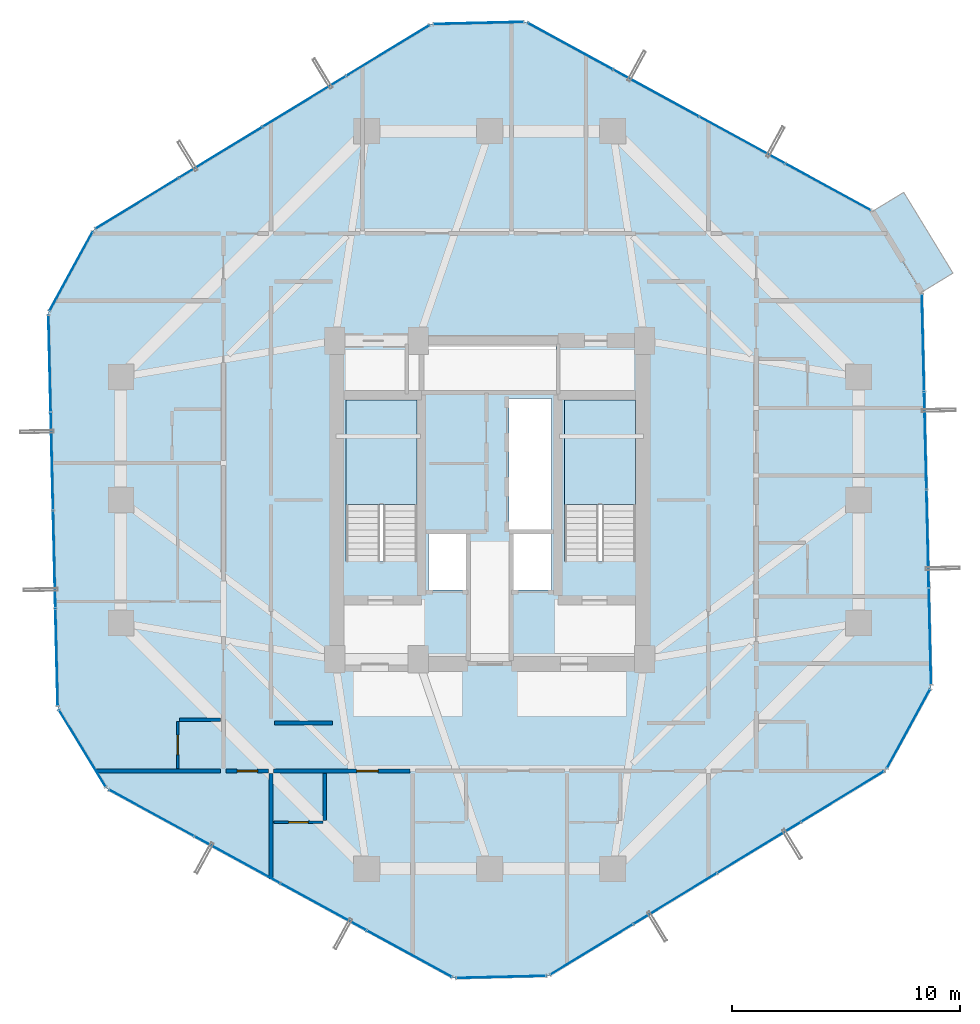
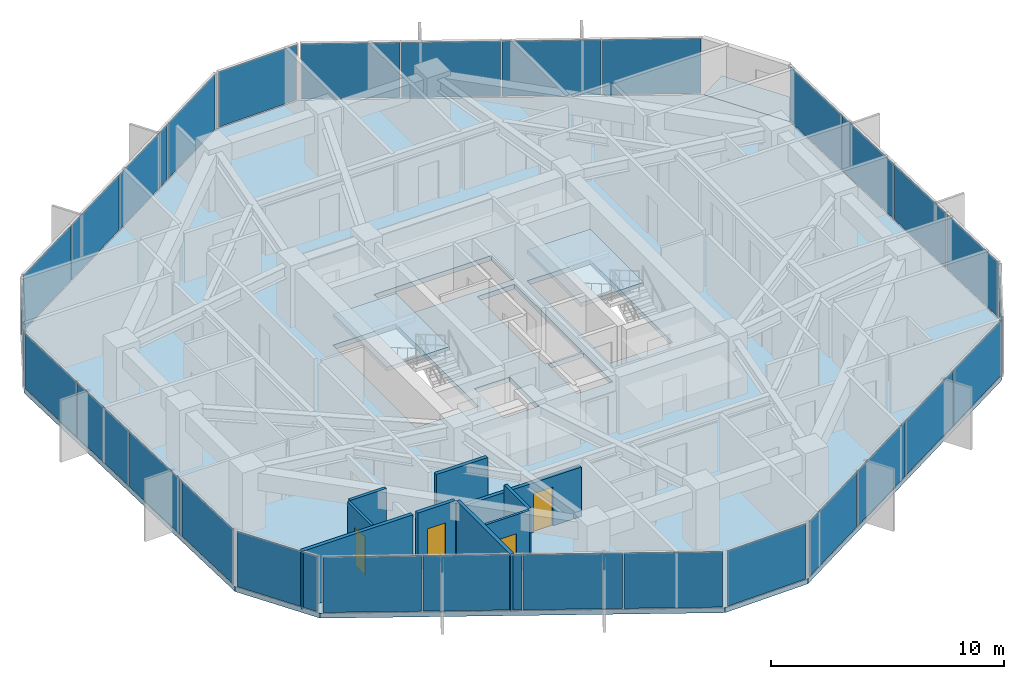
# One storey, part 25 of 31: 29 plates, 9 walls, 4 doors, 4 slabs, 4 openings, 13 elements without a shape of their own.
"""IFC4 building model written with IfcOpenShell, lengths in metres."""

from ifc_helpers import new_model, si_unit, direction, frame, frame_2d, origin, origin_2d, place, context, subcontext, project, spatial, polyline, rectangle, outline, extrude, source, transform, mapped, material, layer, layer_set, type_object, element, fill, aggregate, save


model = new_model("IFC4")

# Units and contexts
model_context = context("Model", 3, precision=1e-05, world=origin(), true_north=direction((0.0, 1.0)))
body_context = subcontext(model_context, "Body", "Model", "MODEL_VIEW")
ifc_project = project(units=[si_unit("LENGTHUNIT", "METRE"), si_unit("AREAUNIT", "SQUARE_METRE"), si_unit("VOLUMEUNIT", "CUBIC_METRE"), si_unit("PLANEANGLEUNIT", "RADIAN"), si_unit("MASSUNIT", "GRAM", prefix="KILO")], contexts=[model_context])

# Site, building, storey
site_placement = place(None, origin())
site = spatial("IfcSite", under=ifc_project, at=site_placement, CompositionType="ELEMENT")
building_placement = place(site_placement, origin())
building = spatial("IfcBuilding", under=site, at=building_placement, Name="Veraguas Prism Commons", CompositionType="ELEMENT")
storey_placement = place(building_placement, frame((0.0, 0.0, 132.75)))
storey = spatial("IfcBuildingStorey", under=building, at=storey_placement, Name="L37", CompositionType="ELEMENT", Elevation=132.75)

# Stair, slab
ifc_material_1 = material(Name="Precast concrete C45/55", Category="concrete")
stair_type = type_object("IfcStairType", Name="Dogleg Core Stair 1480W 20R 05", PredefinedType="HALF_TURN_STAIR", material=ifc_material_1)
stair_1_placement = place(storey_placement, origin())
stair_1 = element("IfcStair", 1, at=stair_1_placement, inside=storey, type_object=stair_type, Name="Protected Exit Stair ST-01 L37", PredefinedType="HALF_TURN_STAIR")
ifc_layer_1 = layer(ifc_material_1, 0.199951171875, Name="Precast Stair and Ramp Landing Slab 200", Category="concrete")
ifc_layer_set_1 = layer_set([ifc_layer_1], Name="Precast concrete C45/55")
slab_type_1 = type_object("IfcSlabType", Name="Precast Stair and Ramp Landing Slab 200", PredefinedType="LANDING", material=ifc_layer_set_1)
slab_1_placement = place(storey_placement, frame((0.0, 0.0, 1.425048828125)))
slab_1 = element("IfcSlab", 2, at=slab_1_placement, type_object=slab_type_1, Name="ST-05 Landing 1", PredefinedType="LANDING", context=body_context, shape_type="SweptSolid", body=[
    extrude(outline(polyline([(20.800048828125, 23.800048828125), (20.800048828125, 28.39990234375), (17.68994140625, 28.39990234375), (17.68994140625, 23.800048828125), (20.800048828125, 23.800048828125)])), origin(), (0.0, 0.0, 1.0), 0.199951171875),
])
aggregate(stair_1, [slab_1])

stair_2_placement = place(storey_placement, origin())
stair_2 = element("IfcStair", 3, at=stair_2_placement, inside=storey, type_object=stair_type, Name="Protected Exit Stair ST-02 L37", PredefinedType="HALF_TURN_STAIR")
slab_2_placement = place(storey_placement, frame((0.0, 0.0, 1.425048828125)))
slab_2 = element("IfcSlab", 4, at=slab_2_placement, type_object=slab_type_1, Name="ST-05 Landing 1", PredefinedType="LANDING", context=body_context, shape_type="SweptSolid", body=[
    extrude(outline(polyline([(30.39990234375, 23.800048828125), (30.39990234375, 28.39990234375), (27.2900390625, 28.39990234375), (27.2900390625, 23.800048828125), (30.39990234375, 23.800048828125)])), origin(), (0.0, 0.0, 1.0), 0.199951171875),
])
aggregate(stair_2, [slab_2])

# Slabs
ifc_material_2 = material(Name="Concrete C45/55", Category="concrete")
ifc_layer_2 = layer(ifc_material_2, 0.219970703125, Name="Recessed Loggia and Terrace Slab RC 220", Category="concrete")
ifc_layer_set_2 = layer_set([ifc_layer_2], Name="Concrete C45/55")
slab_type_2 = type_object("IfcSlabType", Name="Recessed Loggia and Terrace Slab RC 220", PredefinedType="FLOOR", material=ifc_layer_set_2)
slab_3_placement = place(storey_placement, frame((0.0, 0.0, -0.219970703125)))
element("IfcSlab", 5, at=slab_3_placement, inside=storey, type_object=slab_type_2, Name="Recessed Corner Loggia L37-C1", PredefinedType="FLOOR", context=body_context, shape_type="SweptSolid", body=[
    extrude(outline(polyline([(42.9541015625, 33.11962890625), (44.33740234375, 33.962646484375), (42.176025390625, 37.509033203125), (40.792724609375, 36.666015625), (42.9541015625, 33.11962890625)])), origin(), (0.0, 0.0, 1.0), 0.219970703125),
])
ifc_layer_3 = layer(ifc_material_2, 0.25, Name="Tower Lower Residential Floor Slab RC 250", Category="concrete")
ifc_layer_set_3 = layer_set([ifc_layer_3], Name="Concrete C45/55")
slab_type_3 = type_object("IfcSlabType", Name="Tower Lower Residential Floor Slab RC 250", PredefinedType="FLOOR", material=ifc_layer_set_3)
slab_4_placement = place(storey_placement, frame((0.0, 0.0, -0.25)))
element("IfcSlab", 6, at=slab_4_placement, inside=storey, type_object=slab_type_3, Name="Tower Floor Slab L37", PredefinedType="FLOOR", context=body_context, shape_type="SweptSolid", body=[
    extrude(outline(polyline([(42.97119140625, 33.1298828125), (40.809814453125, 36.676513671875), (25.57861328125, 44.994384765625), (21.4267578125, 44.89599609375), (6.607666015625, 35.864501953125), (4.616943359375, 32.219482421875), (5.02880859375, 14.8701171875), (7.190185546875, 11.323486328125), (22.42138671875, 3.005615234375), (26.5732421875, 3.10400390625), (41.392333984375, 12.135498046875), (43.383056640625, 15.780517578125), (42.97119140625, 33.1298828125)]), holes=[polyline([(20.800048828125, 21.31005859375), (20.800048828125, 28.39990234375), (17.68994140625, 28.39990234375), (17.68994140625, 21.31005859375), (20.800048828125, 21.31005859375)]), polyline([(30.39990234375, 21.31005859375), (30.39990234375, 28.39990234375), (27.2900390625, 28.39990234375), (27.2900390625, 21.31005859375), (30.39990234375, 21.31005859375)]), polyline([(24.85009765625, 22.64990234375), (26.699951171875, 22.64990234375), (26.699951171875, 28.449951171875), (24.85009765625, 28.449951171875), (24.85009765625, 22.64990234375)]), polyline([(21.10009765625, 28.800048828125), (26.89990234375, 28.800048828125), (26.89990234375, 30.800048828125), (21.10009765625, 30.800048828125), (21.10009765625, 28.800048828125)]), polyline([(21.300048828125, 20.050048828125), (23.050048828125, 20.050048828125), (23.050048828125, 22.550048828125), (21.300048828125, 22.550048828125), (21.300048828125, 20.050048828125)]), polyline([(24.949951171875, 20.050048828125), (26.699951171875, 20.050048828125), (26.699951171875, 22.550048828125), (24.949951171875, 22.550048828125), (24.949951171875, 20.050048828125)])]), origin(), (0.0, 0.0, 1.0), 0.25),
])

# Curtain wall, plates
ifc_material_3 = material(Name="Anodised aluminium EN AW-6063 T6", Category="aluminium")
ifc_layer_4 = layer(ifc_material_3, 0.169921875, Name="Unitised Flush Curtain Wall Zone 2", Category="aluminium")
ifc_layer_set_4 = layer_set([ifc_layer_4], Name="Anodised aluminium EN AW-6063 T6")
curtain_wall_type = type_object("IfcCurtainWallType", Name="Unitised Flush Curtain Wall Zone 2", PredefinedType="NOTDEFINED", material=ifc_layer_set_4)
curtain_wall_1_placement = place(storey_placement, origin())
curtain_wall_1 = element("IfcCurtainWall", 7, at=curtain_wall_1_placement, inside=storey, type_object=curtain_wall_type, Name="Tower Facade Curtain Wall L37-F1", PredefinedType="NOTDEFINED")
ifc_material_4 = material(Name="Laminated low-e glass", Category="glass")
ifc_layer_5 = layer(ifc_material_4, 0.028076171875, Name="Unitised Double Low-E Glazed Panel 28", Category="glass")
ifc_layer_set_5 = layer_set([ifc_layer_5], Name="Laminated low-e glass")
plate_type = type_object("IfcPlateType", Name="Unitised Double Low-E Glazed Panel 28", PredefinedType="CURTAIN_PANEL", material=ifc_layer_set_5)
shared_shape_1 = source(origin(), body_context, "Body", "SweptSolid", [
    extrude(rectangle(XDim=4.218505859375, YDim=0.028076171875, at=origin_2d()), origin(), (0.0, 0.0, 1.0), 2.889892578125),
])
plate_1_placement = place(storey_placement, frame((38.853271484375, 37.744873046875, 0.05517578125), z_axis=(0.0, 0.0, 1.0), x_axis=(-0.877648571535, 0.479304688984, 0.0)))
plate_1 = element("IfcPlate", 8, at=plate_1_placement, type_object=plate_type, Name="CW-Z2 Panel 1.1", PredefinedType="CURTAIN_PANEL", context=body_context, shape_type="MappedRepresentation", body=[
    mapped(shared_shape_1, transform((0.0, 0.0, 0.0), scale=1.0)),
])
plate_2_placement = place(storey_placement, frame((27.53515625, 43.926025390625, 0.05517578125), z_axis=(0.0, 0.0, 1.0), x_axis=(-0.877648571535, 0.479304688984, 0.0)))
plate_2 = element("IfcPlate", 9, at=plate_2_placement, type_object=plate_type, Name="CW-Z2 Panel 4.1", PredefinedType="CURTAIN_PANEL", context=body_context, shape_type="MappedRepresentation", body=[
    mapped(shared_shape_1, transform((0.0, 0.0, 0.0), scale=1.0)),
])

curtain_wall_2_placement = place(storey_placement, origin())
curtain_wall_2 = element("IfcCurtainWall", 10, at=curtain_wall_2_placement, inside=storey, type_object=curtain_wall_type, Name="Tower Facade Curtain Wall L37-F2", PredefinedType="NOTDEFINED")
plate_3_placement = place(storey_placement, frame((19.523193359375, 43.73583984375, 0.05517578125), z_axis=(0.0, 0.0, 1.0), x_axis=(-0.853916139162, -0.520410633326, 0.0)))
plate_3 = element("IfcPlate", 11, at=plate_3_placement, type_object=plate_type, Name="CW-Z2 Panel 1.1", PredefinedType="CURTAIN_PANEL", context=body_context, shape_type="MappedRepresentation", body=[
    mapped(shared_shape_1, transform((0.0, 0.0, 0.0), scale=1.0)),
])
plate_4_placement = place(storey_placement, frame((8.51123046875, 37.024658203125, 0.05517578125), z_axis=(0.0, 0.0, 1.0), x_axis=(-0.853916139162, -0.520410633326, 0.0)))
plate_4 = element("IfcPlate", 12, at=plate_4_placement, type_object=plate_type, Name="CW-Z2 Panel 4.1", PredefinedType="CURTAIN_PANEL", context=body_context, shape_type="MappedRepresentation", body=[
    mapped(shared_shape_1, transform((0.0, 0.0, 0.0), scale=1.0)),
])

curtain_wall_3_placement = place(storey_placement, origin())
curtain_wall_3 = element("IfcCurtainWall", 13, at=curtain_wall_3_placement, inside=storey, type_object=curtain_wall_type, Name="Tower Facade Curtain Wall L37-F3", PredefinedType="NOTDEFINED")
plate_5_placement = place(storey_placement, frame((4.669921875, 29.99072265625, 0.05517578125), z_axis=(0.0, 0.0, 1.0), x_axis=(0.023737738629, -0.999718220182, 0.0)))
plate_5 = element("IfcPlate", 14, at=plate_5_placement, type_object=plate_type, Name="CW-Z2 Panel 1.1", PredefinedType="CURTAIN_PANEL", context=body_context, shape_type="MappedRepresentation", body=[
    mapped(shared_shape_1, transform((0.0, 0.0, 0.0), scale=1.0)),
])
plate_6_placement = place(storey_placement, frame((4.97607421875, 17.0986328125, 0.05517578125), z_axis=(0.0, 0.0, 1.0), x_axis=(0.023737738629, -0.999718220182, 0.0)))
plate_6 = element("IfcPlate", 15, at=plate_6_placement, type_object=plate_type, Name="CW-Z2 Panel 4.1", PredefinedType="CURTAIN_PANEL", context=body_context, shape_type="MappedRepresentation", body=[
    mapped(shared_shape_1, transform((0.0, 0.0, 0.0), scale=1.0)),
])

curtain_wall_4_placement = place(storey_placement, origin())
curtain_wall_4 = element("IfcCurtainWall", 16, at=curtain_wall_4_placement, inside=storey, type_object=curtain_wall_type, Name="Tower Facade Curtain Wall L37-F4", PredefinedType="NOTDEFINED")
plate_7_placement = place(storey_placement, frame((9.146728515625, 10.255126953125, 0.05517578125), z_axis=(0.0, 0.0, 1.0), x_axis=(0.877648571535, -0.479304688984, 0.0)))
plate_7 = element("IfcPlate", 17, at=plate_7_placement, type_object=plate_type, Name="CW-Z2 Panel 1.1", PredefinedType="CURTAIN_PANEL", context=body_context, shape_type="MappedRepresentation", body=[
    mapped(shared_shape_1, transform((0.0, 0.0, 0.0), scale=1.0)),
])
plate_8_placement = place(storey_placement, frame((20.46484375, 4.073974609375, 0.05517578125), z_axis=(0.0, 0.0, 1.0), x_axis=(0.877648571535, -0.479304688984, 0.0)))
plate_8 = element("IfcPlate", 18, at=plate_8_placement, type_object=plate_type, Name="CW-Z2 Panel 4.1", PredefinedType="CURTAIN_PANEL", context=body_context, shape_type="MappedRepresentation", body=[
    mapped(shared_shape_1, transform((0.0, 0.0, 0.0), scale=1.0)),
])

curtain_wall_5_placement = place(storey_placement, origin())
curtain_wall_5 = element("IfcCurtainWall", 19, at=curtain_wall_5_placement, inside=storey, type_object=curtain_wall_type, Name="Tower Facade Curtain Wall L37-F5", PredefinedType="NOTDEFINED")
plate_9_placement = place(storey_placement, frame((28.476806640625, 4.26416015625, 0.05517578125), z_axis=(0.0, 0.0, 1.0), x_axis=(0.853916139162, 0.520410633326, 0.0)))
plate_9 = element("IfcPlate", 20, at=plate_9_placement, type_object=plate_type, Name="CW-Z2 Panel 1.1", PredefinedType="CURTAIN_PANEL", context=body_context, shape_type="MappedRepresentation", body=[
    mapped(shared_shape_1, transform((0.0, 0.0, 0.0), scale=1.0)),
])
plate_10_placement = place(storey_placement, frame((39.48876953125, 10.975341796875, 0.05517578125), z_axis=(0.0, 0.0, 1.0), x_axis=(0.853916139162, 0.520410633326, 0.0)))
plate_10 = element("IfcPlate", 21, at=plate_10_placement, type_object=plate_type, Name="CW-Z2 Panel 4.1", PredefinedType="CURTAIN_PANEL", context=body_context, shape_type="MappedRepresentation", body=[
    mapped(shared_shape_1, transform((0.0, 0.0, 0.0), scale=1.0)),
])

curtain_wall_6_placement = place(storey_placement, origin())
curtain_wall_6 = element("IfcCurtainWall", 22, at=curtain_wall_6_placement, inside=storey, type_object=curtain_wall_type, Name="Tower Facade Curtain Wall L37-F6", PredefinedType="NOTDEFINED")
plate_11_placement = place(storey_placement, frame((43.330078125, 18.00927734375, 0.05517578125), z_axis=(0.0, 0.0, 1.0), x_axis=(-0.023737738629, 0.999718220182, 0.0)))
plate_11 = element("IfcPlate", 23, at=plate_11_placement, type_object=plate_type, Name="CW-Z2 Panel 1.1", PredefinedType="CURTAIN_PANEL", context=body_context, shape_type="MappedRepresentation", body=[
    mapped(shared_shape_1, transform((0.0, 0.0, 0.0), scale=1.0)),
])
plate_12_placement = place(storey_placement, frame((43.02392578125, 30.9013671875, 0.05517578125), z_axis=(0.0, 0.0, 1.0), x_axis=(-0.023737738629, 0.999718220182, 0.0)))
plate_12 = element("IfcPlate", 24, at=plate_12_placement, type_object=plate_type, Name="CW-Z2 Panel 4.1", PredefinedType="CURTAIN_PANEL", context=body_context, shape_type="MappedRepresentation", body=[
    mapped(shared_shape_1, transform((0.0, 0.0, 0.0), scale=1.0)),
])

# Plate
shared_shape_2 = source(origin(), body_context, "Body", "SweptSolid", [
    extrude(rectangle(XDim=4.24853515625, YDim=0.028076171875, at=origin_2d()), origin(), (0.0, 0.0, 1.0), 2.889892578125),
])
plate_13_placement = place(storey_placement, frame((35.0849609375, 39.802978515625, 0.05517578125), z_axis=(0.0, 0.0, 1.0), x_axis=(-0.877648571535, 0.479304688984, 0.0)))
plate_13 = element("IfcPlate", 25, at=plate_13_placement, type_object=plate_type, Name="CW-Z2 Panel 2.1", PredefinedType="CURTAIN_PANEL", context=body_context, shape_type="MappedRepresentation", body=[
    mapped(shared_shape_2, transform((0.0, 0.0, 0.0), scale=1.0)),
])

plate_14_placement = place(storey_placement, frame((31.303466796875, 41.867919921875, 0.05517578125), z_axis=(0.0, 0.0, 1.0), x_axis=(-0.877648571535, 0.479304688984, 0.0)))
plate_14 = element("IfcPlate", 26, at=plate_14_placement, type_object=plate_type, Name="CW-Z2 Panel 3.1", PredefinedType="CURTAIN_PANEL", context=body_context, shape_type="MappedRepresentation", body=[
    mapped(shared_shape_2, transform((0.0, 0.0, 0.0), scale=1.0)),
])

aggregate(curtain_wall_1, [plate_1, plate_13, plate_14, plate_2])

plate_15_placement = place(storey_placement, frame((15.856689453125, 41.501220703125, 0.05517578125), z_axis=(0.0, 0.0, 1.0), x_axis=(-0.853916139162, -0.520410633326, 0.0)))
plate_15 = element("IfcPlate", 27, at=plate_15_placement, type_object=plate_type, Name="CW-Z2 Panel 2.1", PredefinedType="CURTAIN_PANEL", context=body_context, shape_type="MappedRepresentation", body=[
    mapped(shared_shape_2, transform((0.0, 0.0, 0.0), scale=1.0)),
])

plate_16_placement = place(storey_placement, frame((12.177490234375, 39.259033203125, 0.05517578125), z_axis=(0.0, 0.0, 1.0), x_axis=(-0.853916139162, -0.520410633326, 0.0)))
plate_16 = element("IfcPlate", 28, at=plate_16_placement, type_object=plate_type, Name="CW-Z2 Panel 3.1", PredefinedType="CURTAIN_PANEL", context=body_context, shape_type="MappedRepresentation", body=[
    mapped(shared_shape_2, transform((0.0, 0.0, 0.0), scale=1.0)),
])

aggregate(curtain_wall_2, [plate_3, plate_15, plate_16, plate_4])

plate_17_placement = place(storey_placement, frame((4.771728515625, 25.698486328125, 0.05517578125), z_axis=(0.0, 0.0, 1.0), x_axis=(0.023737738629, -0.999718220182, 0.0)))
plate_17 = element("IfcPlate", 29, at=plate_17_placement, type_object=plate_type, Name="CW-Z2 Panel 2.1", PredefinedType="CURTAIN_PANEL", context=body_context, shape_type="MappedRepresentation", body=[
    mapped(shared_shape_2, transform((0.0, 0.0, 0.0), scale=1.0)),
])

plate_18_placement = place(storey_placement, frame((4.8740234375, 21.39111328125, 0.05517578125), z_axis=(0.0, 0.0, 1.0), x_axis=(0.023737738629, -0.999718220182, 0.0)))
plate_18 = element("IfcPlate", 30, at=plate_18_placement, type_object=plate_type, Name="CW-Z2 Panel 3.1", PredefinedType="CURTAIN_PANEL", context=body_context, shape_type="MappedRepresentation", body=[
    mapped(shared_shape_2, transform((0.0, 0.0, 0.0), scale=1.0)),
])

aggregate(curtain_wall_3, [plate_5, plate_17, plate_18, plate_6])

plate_19_placement = place(storey_placement, frame((12.9150390625, 8.197021484375, 0.05517578125), z_axis=(0.0, 0.0, 1.0), x_axis=(0.877648571535, -0.479304688984, 0.0)))
plate_19 = element("IfcPlate", 31, at=plate_19_placement, type_object=plate_type, Name="CW-Z2 Panel 2.1", PredefinedType="CURTAIN_PANEL", context=body_context, shape_type="MappedRepresentation", body=[
    mapped(shared_shape_2, transform((0.0, 0.0, 0.0), scale=1.0)),
])

plate_20_placement = place(storey_placement, frame((16.696533203125, 6.132080078125, 0.05517578125), z_axis=(0.0, 0.0, 1.0), x_axis=(0.877648571535, -0.479304688984, 0.0)))
plate_20 = element("IfcPlate", 32, at=plate_20_placement, type_object=plate_type, Name="CW-Z2 Panel 3.1", PredefinedType="CURTAIN_PANEL", context=body_context, shape_type="MappedRepresentation", body=[
    mapped(shared_shape_2, transform((0.0, 0.0, 0.0), scale=1.0)),
])

aggregate(curtain_wall_4, [plate_7, plate_19, plate_20, plate_8])

plate_21_placement = place(storey_placement, frame((32.143310546875, 6.498779296875, 0.05517578125), z_axis=(0.0, 0.0, 1.0), x_axis=(0.853916139162, 0.520410633326, 0.0)))
plate_21 = element("IfcPlate", 33, at=plate_21_placement, type_object=plate_type, Name="CW-Z2 Panel 2.1", PredefinedType="CURTAIN_PANEL", context=body_context, shape_type="MappedRepresentation", body=[
    mapped(shared_shape_2, transform((0.0, 0.0, 0.0), scale=1.0)),
])

plate_22_placement = place(storey_placement, frame((35.822509765625, 8.740966796875, 0.05517578125), z_axis=(0.0, 0.0, 1.0), x_axis=(0.853916139162, 0.520410633326, 0.0)))
plate_22 = element("IfcPlate", 34, at=plate_22_placement, type_object=plate_type, Name="CW-Z2 Panel 3.1", PredefinedType="CURTAIN_PANEL", context=body_context, shape_type="MappedRepresentation", body=[
    mapped(shared_shape_2, transform((0.0, 0.0, 0.0), scale=1.0)),
])

aggregate(curtain_wall_5, [plate_9, plate_21, plate_22, plate_10])

plate_23_placement = place(storey_placement, frame((43.228271484375, 22.301513671875, 0.05517578125), z_axis=(0.0, 0.0, 1.0), x_axis=(-0.023737738629, 0.999718220182, 0.0)))
plate_23 = element("IfcPlate", 35, at=plate_23_placement, type_object=plate_type, Name="CW-Z2 Panel 2.1", PredefinedType="CURTAIN_PANEL", context=body_context, shape_type="MappedRepresentation", body=[
    mapped(shared_shape_2, transform((0.0, 0.0, 0.0), scale=1.0)),
])

plate_24_placement = place(storey_placement, frame((43.1259765625, 26.60888671875, 0.05517578125), z_axis=(0.0, 0.0, 1.0), x_axis=(-0.023737738629, 0.999718220182, 0.0)))
plate_24 = element("IfcPlate", 36, at=plate_24_placement, type_object=plate_type, Name="CW-Z2 Panel 3.1", PredefinedType="CURTAIN_PANEL", context=body_context, shape_type="MappedRepresentation", body=[
    mapped(shared_shape_2, transform((0.0, 0.0, 0.0), scale=1.0)),
])

aggregate(curtain_wall_6, [plate_11, plate_23, plate_24, plate_12])

# Curtain wall, plate
curtain_wall_7_placement = place(storey_placement, origin())
curtain_wall_7 = element("IfcCurtainWall", 37, at=curtain_wall_7_placement, inside=storey, type_object=curtain_wall_type, Name="Chamfer Curtain Wall L37-C2", PredefinedType="NOTDEFINED")
shared_shape_3 = source(origin(), body_context, "Body", "SweptSolid", [
    extrude(rectangle(XDim=3.9130859375, YDim=0.028076171875, at=origin_2d()), origin(), (0.0, 0.0, 1.0), 2.889892578125),
])
plate_25_placement = place(storey_placement, frame((23.502685546875, 44.9453125, 0.05517578125), z_axis=(0.0, 0.0, 1.0), x_axis=(-0.999717847188, -0.023753442163, 0.0)))
plate_25 = element("IfcPlate", 38, at=plate_25_placement, type_object=plate_type, Name="CW-Z2 Panel 1.1", PredefinedType="CURTAIN_PANEL", context=body_context, shape_type="MappedRepresentation", body=[
    mapped(shared_shape_3, transform((0.0, 0.0, 0.0), scale=1.0)),
])
aggregate(curtain_wall_7, [plate_25])

curtain_wall_8_placement = place(storey_placement, origin())
curtain_wall_8 = element("IfcCurtainWall", 39, at=curtain_wall_8_placement, inside=storey, type_object=curtain_wall_type, Name="Chamfer Curtain Wall L37-C3", PredefinedType="NOTDEFINED")
plate_26_placement = place(storey_placement, frame((5.6123046875, 34.0419921875, 0.05517578125), z_axis=(0.0, 0.0, 1.0), x_axis=(-0.479293966449, -0.877654427281, 0.0)))
plate_26 = element("IfcPlate", 40, at=plate_26_placement, type_object=plate_type, Name="CW-Z2 Panel 1.1", PredefinedType="CURTAIN_PANEL", context=body_context, shape_type="MappedRepresentation", body=[
    mapped(shared_shape_3, transform((0.0, 0.0, 0.0), scale=1.0)),
])
aggregate(curtain_wall_8, [plate_26])

curtain_wall_9_placement = place(storey_placement, origin())
curtain_wall_9 = element("IfcCurtainWall", 41, at=curtain_wall_9_placement, inside=storey, type_object=curtain_wall_type, Name="Chamfer Curtain Wall L37-C4", PredefinedType="NOTDEFINED")
plate_27_placement = place(storey_placement, frame((6.109619140625, 13.0966796875, 0.05517578125), z_axis=(0.0, 0.0, 1.0), x_axis=(0.52040914296, -0.853917047449, 0.0)))
plate_27 = element("IfcPlate", 42, at=plate_27_placement, type_object=plate_type, Name="CW-Z2 Panel 1.1", PredefinedType="CURTAIN_PANEL", context=body_context, shape_type="MappedRepresentation", body=[
    mapped(shared_shape_3, transform((0.0, 0.0, 0.0), scale=1.0)),
])
aggregate(curtain_wall_9, [plate_27])

curtain_wall_10_placement = place(storey_placement, origin())
curtain_wall_10 = element("IfcCurtainWall", 43, at=curtain_wall_10_placement, inside=storey, type_object=curtain_wall_type, Name="Chamfer Curtain Wall L37-C5", PredefinedType="NOTDEFINED")
plate_28_placement = place(storey_placement, frame((24.497314453125, 3.0546875, 0.05517578125), z_axis=(0.0, 0.0, 1.0), x_axis=(0.999717847188, 0.023753442163, 0.0)))
plate_28 = element("IfcPlate", 44, at=plate_28_placement, type_object=plate_type, Name="CW-Z2 Panel 1.1", PredefinedType="CURTAIN_PANEL", context=body_context, shape_type="MappedRepresentation", body=[
    mapped(shared_shape_3, transform((0.0, 0.0, 0.0), scale=1.0)),
])
aggregate(curtain_wall_10, [plate_28])

curtain_wall_11_placement = place(storey_placement, origin())
curtain_wall_11 = element("IfcCurtainWall", 45, at=curtain_wall_11_placement, inside=storey, type_object=curtain_wall_type, Name="Chamfer Curtain Wall L37-C6", PredefinedType="NOTDEFINED")
plate_29_placement = place(storey_placement, frame((42.3876953125, 13.9580078125, 0.05517578125), z_axis=(0.0, 0.0, 1.0), x_axis=(0.479293966449, 0.877654427281, 0.0)))
plate_29 = element("IfcPlate", 46, at=plate_29_placement, type_object=plate_type, Name="CW-Z2 Panel 1.1", PredefinedType="CURTAIN_PANEL", context=body_context, shape_type="MappedRepresentation", body=[
    mapped(shared_shape_3, transform((0.0, 0.0, 0.0), scale=1.0)),
])
aggregate(curtain_wall_11, [plate_29])

# Walls
ifc_material_5 = material(Name="Autoclaved aerated masonry block 10 MPa", Category="masonry")
ifc_layer_6 = layer(ifc_material_5, 0.179931640625, Name="Corridor and Inter-Tenancy Partition 180", Category="masonry")
ifc_layer_set_6 = layer_set([ifc_layer_6], Name="Autoclaved aerated masonry block 10 MPa")
wall_type_1 = type_object("IfcWallType", Name="Corridor and Inter-Tenancy Partition 180", PredefinedType="PARTITIONING", material=ifc_layer_set_6)
wall_1_placement = place(storey_placement, frame((14.550048828125, 14.199951171875, 0.0), z_axis=(0.0, 0.0, 1.0), x_axis=(1.0, 0.0, 0.0)))
element("IfcWall", 47, at=wall_1_placement, inside=storey, type_object=wall_type_1, Name="WL-L37-IRWS", PredefinedType="PARTITIONING", context=body_context, shape_type="SweptSolid", body=[
    extrude(rectangle(XDim=2.550048828125, YDim=0.179931640625, at=frame_2d((1.27490234375, 0.0))), origin(), (0.0, 0.0, 1.0), 3.0),
])
wall_2_placement = place(storey_placement, frame((14.39990234375, 11.97998046875, 0.0), z_axis=(0.0, 0.0, 1.0), x_axis=(0.0, -1.0, 0.0)))
element("IfcWall", 48, at=wall_2_placement, inside=storey, type_object=wall_type_1, Name="WL-L37-PT001", PredefinedType="PARTITIONING", context=body_context, shape_type="SweptSolid", body=[
    extrude(rectangle(XDim=4.6279296875, YDim=0.179931640625, at=frame_2d((2.31396484375, 0.0))), origin(), (0.0, 0.0, 1.0), 3.0),
])

# Wall, opening, door
wall_3_placement = place(storey_placement, frame((14.510009765625, 12.10009765625, 0.0), z_axis=(0.0, 0.0, 1.0), x_axis=(1.0, 0.0, 0.0)))
wall_3 = element("IfcWall", 49, at=wall_3_placement, inside=storey, type_object=wall_type_1, Name="WL-L37-PT003", PredefinedType="PARTITIONING", context=body_context, shape_type="SweptSolid", body=[
    extrude(rectangle(XDim=5.99609375, YDim=0.179931640625, at=frame_2d((2.998046875, 0.0))), origin(), (0.0, 0.0, 1.0), 2.580078125),
])
opening_1_placement = place(wall_3_placement, frame((3.637939453125, 0.0, 0.0)))
opening_1 = element("IfcOpeningElement", 50, at=opening_1_placement, cuts=wall_3, Name="Opening DR-01", PredefinedType="OPENING", context=body_context, shape_type="SweptSolid", body=[
    extrude(rectangle(XDim=0.949951171875, YDim=2.02001953125, at=frame_2d((0.47509765625, 1.010009765625))), frame((0.0, 0.099853515625, 0.0), z_axis=(0.0, -1.0, 0.0), x_axis=(1.0, 0.0, 0.0)), (0.0, 0.0, 1.0), 0.199951171875),
])
door_type_1 = type_object("IfcDoorType", Name="Apartment Entrance Fire Door 950x2020", OperationType="NOTDEFINED", PredefinedType="DOOR", material=ifc_material_3)
shared_shape_4 = source(origin(), body_context, "Body", "SweptSolid", [
    extrude(rectangle(XDim=0.949951171875, YDim=2.02001953125, at=frame_2d((0.47509765625, 1.010009765625))), frame((0.0, 0.02490234375, 0.0), z_axis=(0.0, -1.0, 0.0), x_axis=(1.0, 0.0, 0.0)), (0.0, 0.0, 1.0), 0.050048828125),
])
door_1_placement = place(opening_1_placement, origin())
door_1 = element("IfcDoor", 51, at=door_1_placement, inside=storey, type_object=door_type_1, Name="Studio 37A Entrance Door", OperationType="SINGLE_SWING_LEFT", OverallHeight=2.02001953125, OverallWidth=0.949951171875, PredefinedType="DOOR", context=body_context, shape_type="MappedRepresentation", body=[
    mapped(shared_shape_4, transform((0.0, 0.0, 0.0), scale=1.0)),
])
fill(opening_1, door_1)

# Wall
wall_4_placement = place(storey_placement, frame((12.179931640625, 12.10009765625, 0.0), z_axis=(0.0, 0.0, 1.0), x_axis=(-1.0, 0.0, 0.0)))
element("IfcWall", 52, at=wall_4_placement, inside=storey, type_object=wall_type_1, Name="WL-L37-PT023", PredefinedType="PARTITIONING", context=body_context, shape_type="SweptSolid", body=[
    extrude(rectangle(XDim=5.498046875, YDim=0.179931640625, at=frame_2d((2.7490234375, 0.0))), origin(), (0.0, 0.0, 1.0), 3.0),
])

# Wall, opening, door
wall_5_placement = place(storey_placement, frame((12.419921875, 12.10009765625, 0.0), z_axis=(0.0, 0.0, 1.0), x_axis=(1.0, 0.0, 0.0)))
wall_5 = element("IfcWall", 53, at=wall_5_placement, inside=storey, type_object=wall_type_1, Name="WL-L37-PT056", PredefinedType="PARTITIONING", context=body_context, shape_type="SweptSolid", body=[
    extrude(rectangle(XDim=1.860107421875, YDim=0.179931640625, at=frame_2d((0.93017578125, 0.0))), origin(), (0.0, 0.0, 1.0), 3.0),
])
opening_2_placement = place(wall_5_placement, frame((0.47998046875, 0.0, 0.0)))
opening_2 = element("IfcOpeningElement", 54, at=opening_2_placement, cuts=wall_5, Name="Opening DR-14", PredefinedType="OPENING", context=body_context, shape_type="SweptSolid", body=[
    extrude(rectangle(XDim=0.89990234375, YDim=2.010009765625, at=frame_2d((0.449951171875, 1.0048828125))), frame((0.0, 0.099853515625, 0.0), z_axis=(0.0, -1.0, 0.0), x_axis=(1.0, 0.0, 0.0)), (0.0, 0.0, 1.0), 0.199951171875),
])
ifc_material_6 = material(Name="Steel fire-rated door assembly", Category="steel")
door_type_2 = type_object("IfcDoorType", Name="Core Service Room Fire Door 900x2010", OperationType="NOTDEFINED", PredefinedType="DOOR", material=ifc_material_6)
shared_shape_5 = source(origin(), body_context, "Body", "SweptSolid", [
    extrude(rectangle(XDim=0.89990234375, YDim=2.010009765625, at=frame_2d((0.449951171875, 1.0048828125))), frame((0.0, 0.02490234375, 0.0), z_axis=(0.0, -1.0, 0.0), x_axis=(1.0, 0.0, 0.0)), (0.0, 0.0, 1.0), 0.050048828125),
])
door_2_placement = place(opening_2_placement, origin())
door_2 = element("IfcDoor", 55, at=door_2_placement, inside=storey, type_object=door_type_2, Name="Corner Study SW Door", OperationType="SINGLE_SWING_LEFT", OverallHeight=2.010009765625, OverallWidth=0.89990234375, PredefinedType="DOOR", context=body_context, shape_type="MappedRepresentation", body=[
    mapped(shared_shape_5, transform((0.0, 0.0, 0.0), scale=1.0)),
])
fill(opening_2, door_2)

ifc_material_7 = material(Name="Lightweight acoustic gypsum board")
ifc_layer_7 = layer(ifc_material_7, 0.125, Name="Internal Apartment Room Partition 125")
ifc_layer_set_7 = layer_set([ifc_layer_7], Name="Lightweight acoustic gypsum board")
wall_type_2 = type_object("IfcWallType", Name="Internal Apartment Room Partition 125", PredefinedType="PARTITIONING", material=ifc_layer_set_7)
wall_6_placement = place(storey_placement, frame((14.52001953125, 9.85009765625, 0.0), z_axis=(0.0, 0.0, 1.0), x_axis=(1.0, 0.0, 0.0)))
wall_6 = element("IfcWall", 56, at=wall_6_placement, inside=storey, type_object=wall_type_2, Name="WL-L37-PT005", PredefinedType="PARTITIONING", context=body_context, shape_type="SweptSolid", body=[
    extrude(rectangle(XDim=2.14990234375, YDim=0.125, at=frame_2d((1.074951171875, 0.0))), origin(), (0.0, 0.0, 1.0), 3.0),
])
opening_3_placement = place(wall_6_placement, frame((0.64501953125, 0.0, 0.0)))
opening_3 = element("IfcOpeningElement", 57, at=opening_3_placement, cuts=wall_6, Name="Opening DR-03", PredefinedType="OPENING", context=body_context, shape_type="SweptSolid", body=[
    extrude(rectangle(XDim=0.860107421875, YDim=2.010009765625, at=frame_2d((0.43017578125, 1.0048828125))), frame((0.0, 0.072509765625, 0.0), z_axis=(0.0, -1.0, 0.0), x_axis=(1.0, 0.0, 0.0)), (0.0, 0.0, 1.0), 0.14501953125),
])
ifc_material_8 = material(Name="Timber moisture-resistant leaf", Category="wood")
door_type_3 = type_object("IfcDoorType", Name="Internal Bathroom Door 860x2010", OperationType="NOTDEFINED", PredefinedType="DOOR", material=ifc_material_8)
shared_shape_6 = source(origin(), body_context, "Body", "SweptSolid", [
    extrude(rectangle(XDim=0.860107421875, YDim=2.010009765625, at=frame_2d((0.43017578125, 1.0048828125))), frame((0.0, 0.02490234375, 0.0), z_axis=(0.0, -1.0, 0.0), x_axis=(1.0, 0.0, 0.0)), (0.0, 0.0, 1.0), 0.050048828125),
])
door_3_placement = place(opening_3_placement, origin())
door_3 = element("IfcDoor", 58, at=door_3_placement, inside=storey, type_object=door_type_3, Name="Studio 37A Bathroom Door", OperationType="SINGLE_SWING_RIGHT", OverallHeight=2.010009765625, OverallWidth=0.860107421875, PredefinedType="DOOR", context=body_context, shape_type="MappedRepresentation", body=[
    mapped(shared_shape_6, transform((0.0, 0.0, 0.0), scale=1.0)),
])
fill(opening_3, door_3)

wall_7_placement = place(storey_placement, frame((10.300048828125, 12.219970703125, 0.0), z_axis=(0.0, 0.0, 1.0), x_axis=(0.0, 1.0, 0.0)))
wall_7 = element("IfcWall", 59, at=wall_7_placement, inside=storey, type_object=wall_type_2, Name="WL-L37-PT027", PredefinedType="PARTITIONING", context=body_context, shape_type="SweptSolid", body=[
    extrude(rectangle(XDim=2.050048828125, YDim=0.125, at=frame_2d((1.02490234375, 0.0))), origin(), (0.0, 0.0, 1.0), 3.0),
])
opening_4_placement = place(wall_7_placement, frame((0.594970703125, 0.0, 0.0)))
opening_4 = element("IfcOpeningElement", 60, at=opening_4_placement, cuts=wall_7, Name="Opening DR-03", PredefinedType="OPENING", context=body_context, shape_type="SweptSolid", body=[
    extrude(rectangle(XDim=0.860107421875, YDim=2.010009765625, at=frame_2d((0.43017578125, 1.0048828125))), frame((0.0, 0.072509765625, 0.0), z_axis=(0.0, -1.0, 0.0), x_axis=(1.0, 0.0, 0.0)), (0.0, 0.0, 1.0), 0.14501953125),
])
door_4_placement = place(opening_4_placement, origin())
door_4 = element("IfcDoor", 61, at=door_4_placement, inside=storey, type_object=door_type_3, Name="Flat 37D Bathroom Door", OperationType="SINGLE_SWING_RIGHT", OverallHeight=2.010009765625, OverallWidth=0.860107421875, PredefinedType="DOOR", context=body_context, shape_type="MappedRepresentation", body=[
    mapped(shared_shape_6, transform((0.0, 0.0, 0.0), scale=1.0)),
])
fill(opening_4, door_4)

# Walls
ifc_layer_8 = layer(ifc_material_7, 0.14990234375, Name="Wet Room and Clinic Acoustic Partition 150")
ifc_layer_set_8 = layer_set([ifc_layer_8], Name="Lightweight acoustic gypsum board")
wall_type_3 = type_object("IfcWallType", Name="Wet Room and Clinic Acoustic Partition 150", PredefinedType="PARTITIONING", material=ifc_layer_set_8)
wall_8_placement = place(storey_placement, frame((16.75, 11.97998046875, 0.0), z_axis=(0.0, 0.0, 1.0), x_axis=(0.0, -1.0, 0.0)))
element("IfcWall", 62, at=wall_8_placement, inside=storey, type_object=wall_type_3, Name="WL-L37-PT004", PredefinedType="PARTITIONING", context=body_context, shape_type="SweptSolid", body=[
    extrude(rectangle(XDim=2.050048828125, YDim=0.14990234375, at=frame_2d((1.02490234375, 0.0))), origin(), (0.0, 0.0, 1.0), 3.0),
])
wall_9_placement = place(storey_placement, frame((12.179931640625, 14.35009765625, 0.0), z_axis=(0.0, 0.0, 1.0), x_axis=(-1.0, 0.0, 0.0)))
element("IfcWall", 63, at=wall_9_placement, inside=storey, type_object=wall_type_3, Name="WL-L37-PT026", PredefinedType="PARTITIONING", context=body_context, shape_type="SweptSolid", body=[
    extrude(rectangle(XDim=1.800048828125, YDim=0.14990234375, at=frame_2d((0.89990234375, 0.0))), origin(), (0.0, 0.0, 1.0), 3.0),
])

save(model, "model.ifc")
